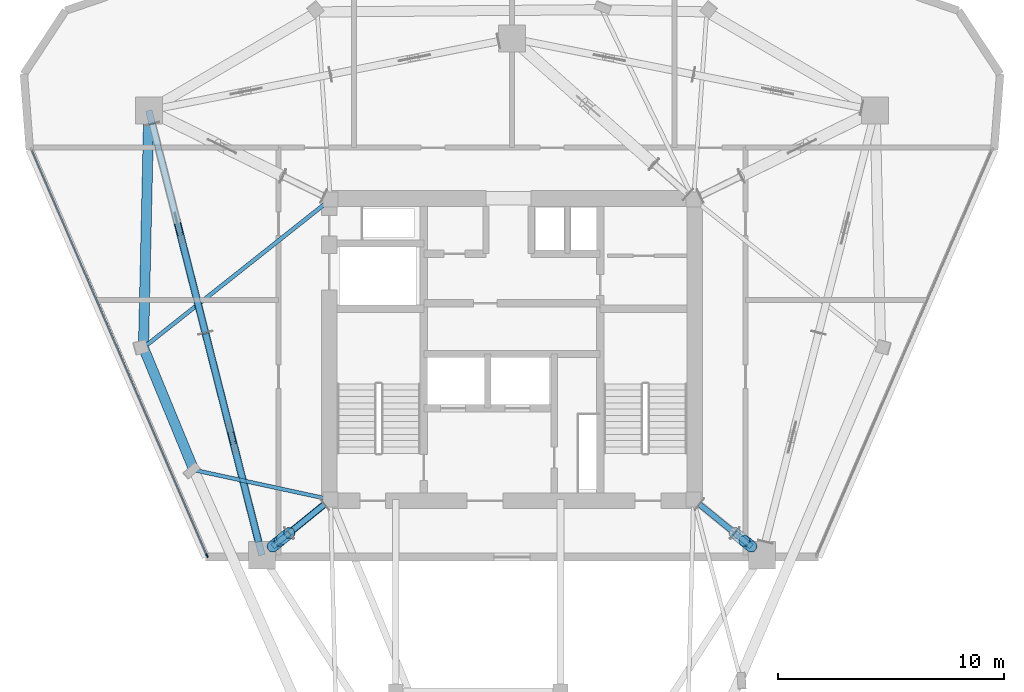
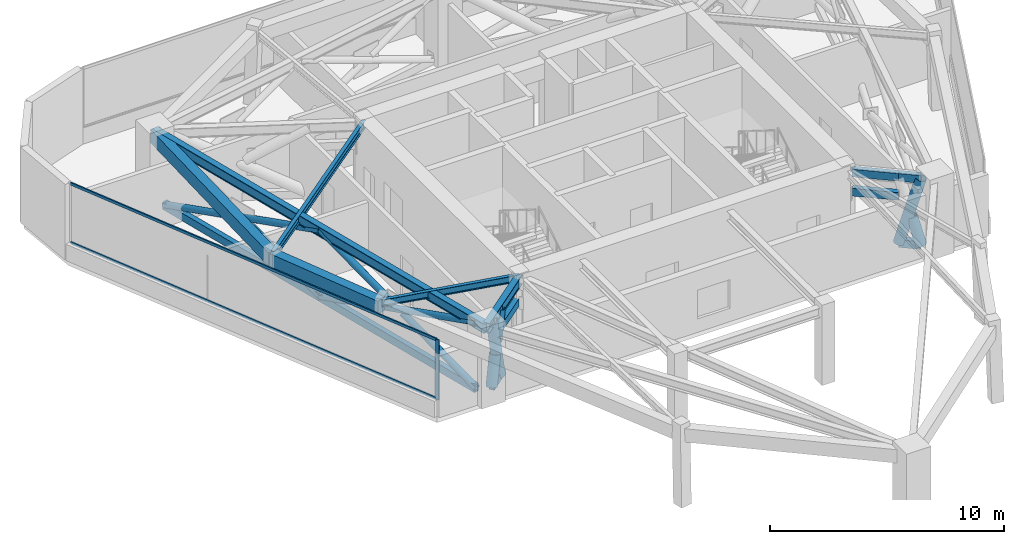
# One storey, part 2 of 9: 25 members, 6 beams, 1 element without a shape of its own.
"""IFC4 building model written with IfcOpenShell, lengths in metres."""

from ifc_helpers import new_model, si_unit, direction, frame, origin, origin_2d, place, context, subcontext, project, spatial, rectangle, hollow_rectangle, hollow_circle, i_section, extrude, material, layer, layer_set, material_profile, profile_set, type_object, element, aggregate, save


model = new_model("IFC4")

# Units and contexts
model_context = context("Model", 3, precision=1e-05, world=origin(), true_north=direction((0.0, 1.0)))
body_context = subcontext(model_context, "Body", "Model", "MODEL_VIEW")
ifc_project = project(units=[si_unit("LENGTHUNIT", "METRE"), si_unit("AREAUNIT", "SQUARE_METRE"), si_unit("VOLUMEUNIT", "CUBIC_METRE"), si_unit("PLANEANGLEUNIT", "RADIAN"), si_unit("MASSUNIT", "GRAM", prefix="KILO")], contexts=[model_context])

# Site, building, storey
site_placement = place(None, origin())
site = spatial("IfcSite", under=ifc_project, at=site_placement, CompositionType="ELEMENT")
building_placement = place(site_placement, origin())
building = spatial("IfcBuilding", under=site, at=building_placement, Name="Talyreon Biosciences Tower", CompositionType="ELEMENT")
storey_placement = place(building_placement, frame((0.0, 0.0, 279.60009765625)))
storey = spatial("IfcBuildingStorey", under=building, at=storey_placement, Name="L74", CompositionType="ELEMENT", Elevation=279.60009765625)

# Members
ifc_material_1 = material(Name="Steel SM355", Category="steel")
ifc_material_profile_1 = material_profile(ifc_material_1, hollow_rectangle(XDim=0.25, YDim=0.39990234375, WallThickness=0.01611328125, at=origin_2d()), Name="RHS 400x250x16")
ifc_profile_set_1 = profile_set([ifc_material_profile_1], Name="Steel SM355")
member_type_1 = type_object("IfcMemberType", Name="BeltChord_RHS400x250", PredefinedType="CHORD", material=ifc_profile_set_1)
for number, where, z_axis, x_axis, name in (
    (1, (74.309814453125, 61.138671875, 3.699951171875), (0.77578405512, -0.63099849431, 0.0), (0.63099849431, 0.77578405512, 0.0), "L74 Outrigger Core Top Tie 2"),
    (2, (74.309814453125, 61.138671875, 2.699951171875), (0.77578405512, -0.63099849431, 0.0), (0.63099849431, 0.77578405512, 0.0), "L74 Outrigger Core Plenum Tie 2"),
):
    element("IfcMember", number, at=place(storey_placement, frame(where, z_axis=z_axis, x_axis=x_axis)), inside=storey, type_object=member_type_1, Name=name, PredefinedType="CHORD", context=body_context, shape_type="SweptSolid", body=[
        extrude(hollow_rectangle(XDim=0.25, YDim=0.39990234375, WallThickness=0.01611328125, at=origin_2d()), origin(), (0.0, 0.0, 1.0), 2.01513671875),
    ])
for number, where, z_axis, x_axis, name in (
    (3, (75.873046875, 59.8671875, 0.239990234375), (0.77582422819, -0.630949100128, 0.0), (0.630949100128, 0.77582422819, 0.0), "L74 Truss Bottom Chord OUT-L74-R2"),
    (4, (75.873046875, 59.8671875, 3.699951171875), (0.77582422819, -0.630949100128, 0.0), (0.630949100128, 0.77582422819, 0.0), "L74 Truss Top Chord OUT-L74-R2"),
):
    element("IfcMember", number, at=place(storey_placement, frame(where, z_axis=z_axis, x_axis=x_axis)), inside=storey, type_object=member_type_1, Name=name, PredefinedType="CHORD", context=body_context, shape_type="SweptSolid", body=[
        extrude(hollow_rectangle(XDim=0.25, YDim=0.39990234375, WallThickness=0.01611328125, at=origin_2d()), origin(), (0.0, 0.0, 1.0), 0.953857421875),
    ])
for number, where, z_axis, x_axis, name in (
    (5, (57.690185546875, 61.138671875, 3.699951171875), (-0.77578405512, -0.63099849431, 0.0), (0.63099849431, -0.77578405512, 0.0), "L74 Outrigger Core Top Tie 6"),
    (6, (57.690185546875, 61.138671875, 2.699951171875), (-0.77578405512, -0.63099849431, 0.0), (0.63099849431, -0.77578405512, 0.0), "L74 Outrigger Core Plenum Tie 6"),
):
    element("IfcMember", number, at=place(storey_placement, frame(where, z_axis=z_axis, x_axis=x_axis)), inside=storey, type_object=member_type_1, Name=name, PredefinedType="CHORD", context=body_context, shape_type="SweptSolid", body=[
        extrude(hollow_rectangle(XDim=0.25, YDim=0.39990234375, WallThickness=0.01611328125, at=origin_2d()), origin(), (0.0, 0.0, 1.0), 2.01513671875),
    ])
for number, where, z_axis, x_axis, name in (
    (7, (56.126953125, 59.8671875, 0.239990234375), (-0.77582422819, -0.630949100128, 0.0), (0.630949100128, -0.77582422819, 0.0), "L74 Truss Bottom Chord OUT-L74-R6"),
    (8, (56.126953125, 59.8671875, 3.699951171875), (-0.77582422819, -0.630949100128, 0.0), (0.630949100128, -0.77582422819, 0.0), "L74 Truss Top Chord OUT-L74-R6"),
):
    element("IfcMember", number, at=place(storey_placement, frame(where, z_axis=z_axis, x_axis=x_axis)), inside=storey, type_object=member_type_1, Name=name, PredefinedType="CHORD", context=body_context, shape_type="SweptSolid", body=[
        extrude(hollow_rectangle(XDim=0.25, YDim=0.39990234375, WallThickness=0.01611328125, at=origin_2d()), origin(), (0.0, 0.0, 1.0), 0.953857421875),
    ])
for number, where, z_axis, x_axis, name in (
    (9, (50.048095703125, 78.007568359375, 0.239990234375), (0.246534116519, -0.969134113213, 0.0), (0.969134113213, 0.246534116519, 0.0), "L74 Truss Bottom Chord BELT-L74-B5S1"),
    (10, (50.048095703125, 78.007568359375, 3.699951171875), (0.246534116519, -0.969134113213, 0.0), (0.969134113213, 0.246534116519, 0.0), "L74 Truss Top Chord BELT-L74-B5S1"),
):
    element("IfcMember", number, at=place(storey_placement, frame(where, z_axis=z_axis, x_axis=x_axis)), inside=storey, type_object=member_type_1, Name=name, PredefinedType="CHORD", context=body_context, shape_type="SweptSolid", body=[
        extrude(hollow_rectangle(XDim=0.25, YDim=0.39990234375, WallThickness=0.01611328125, at=origin_2d()), origin(), (0.0, 0.0, 1.0), 9.563232421875),
    ])
for number, where, z_axis, x_axis, name in (
    (11, (52.40576171875, 68.739501953125, 0.239990234375), (0.246540216186, -0.969132561522, 0.0), (0.969132561522, 0.246540216186, 0.0), "L74 Truss Bottom Chord BELT-L74-B5S2"),
    (12, (52.40576171875, 68.739501953125, 3.699951171875), (0.246540216186, -0.969132561522, 0.0), (0.969132561522, 0.246540216186, 0.0), "L74 Truss Top Chord BELT-L74-B5S2"),
):
    element("IfcMember", number, at=place(storey_placement, frame(where, z_axis=z_axis, x_axis=x_axis)), inside=storey, type_object=member_type_1, Name=name, PredefinedType="CHORD", context=body_context, shape_type="SweptSolid", body=[
        extrude(hollow_rectangle(XDim=0.25, YDim=0.39990234375, WallThickness=0.01611328125, at=origin_2d()), origin(), (0.0, 0.0, 1.0), 9.56298828125),
    ])

# Curtain wall, members
ifc_material_2 = material(Name="Thermally broken aluminium and low-E glazing", Category="aluminium")
ifc_layer = layer(ifc_material_2, 0.175048828125)
ifc_layer_set = layer_set([ifc_layer], Name="Thermally broken aluminium and low-E glazing")
curtain_wall_type = type_object("IfcCurtainWallType", Name="CurtainWall_Zone5CompLab", PredefinedType="NOTDEFINED", material=ifc_layer_set)
curtain_wall_placement = place(storey_placement, origin())
curtain_wall = element("IfcCurtainWall", 13, at=curtain_wall_placement, inside=storey, type_object=curtain_wall_type, Name="L74 Unitised Curtain Wall FCW-L74-09", PredefinedType="NOTDEFINED")
ifc_material_3 = material(Name="Anodised thermally broken aluminium", Category="aluminium")
ifc_material_profile_2 = material_profile(ifc_material_3, rectangle(XDim=0.06494140625, YDim=0.179931640625, at=origin_2d()), Name="ALUM MULLION 65x180")
ifc_profile_set_2 = profile_set([ifc_material_profile_2], Name="Anodised thermally broken aluminium")
member_type_2 = type_object("IfcMemberType", Name="CWMullion_65x180", PredefinedType="MULLION", material=ifc_profile_set_2)
member_1_placement = place(storey_placement, frame((52.47802734375, 58.861572265625, 0.809814453125), z_axis=(0.0, 0.0, 1.0), x_axis=(-0.918021763475, -0.396530001116, 0.0)))
member_1 = element("IfcMember", 14, at=member_1_placement, type_object=member_type_2, Name="CW6 mullion 1", PredefinedType="MULLION", context=body_context, shape_type="SweptSolid", body=[
    extrude(rectangle(XDim=0.06494140625, YDim=0.179931640625, at=origin_2d()), origin(), (0.0, 0.0, 1.0), 3.14013671875),
])
ifc_material_profile_3 = material_profile(ifc_material_3, rectangle(XDim=0.06494140625, YDim=0.139892578125, at=origin_2d()), Name="ALUM TRANSOM 65x140")
ifc_profile_set_3 = profile_set([ifc_material_profile_3], Name="Anodised thermally broken aluminium")
member_type_3 = type_object("IfcMemberType", Name="CWTransom_65x140", PredefinedType="USERDEFINED", material=ifc_profile_set_3)
member_2_placement = place(storey_placement, frame((52.465087890625, 58.891357421875, 0.84228515625), z_axis=(-0.396531280855, 0.918021210705, 0.0), x_axis=(-0.918021210705, -0.396531280855, 0.0)))
member_2 = element("IfcMember", 15, at=member_2_placement, type_object=member_type_3, Name="CW6 transom 1.1", ObjectType="TRANSOM", PredefinedType="USERDEFINED", context=body_context, shape_type="SweptSolid", body=[
    extrude(rectangle(XDim=0.06494140625, YDim=0.139892578125, at=origin_2d()), origin(), (0.0, 0.0, 1.0), 19.53759765625),
])
member_3_placement = place(storey_placement, frame((52.465087890625, 58.891357421875, 3.91748046875), z_axis=(-0.396531280855, 0.918021210705, 0.0), x_axis=(-0.918021210705, -0.396531280855, 0.0)))
member_3 = element("IfcMember", 16, at=member_3_placement, type_object=member_type_3, Name="CW6 transom 1.2", ObjectType="TRANSOM", PredefinedType="USERDEFINED", context=body_context, shape_type="SweptSolid", body=[
    extrude(rectangle(XDim=0.06494140625, YDim=0.139892578125, at=origin_2d()), origin(), (0.0, 0.0, 1.0), 19.53759765625),
])
aggregate(curtain_wall, [member_1, member_2, member_3])

# Beams
ifc_material_4 = material(Name="Precast concrete C45/55", Category="concrete")
ifc_material_profile_4 = material_profile(ifc_material_4, rectangle(XDim=0.449951171875, YDim=0.699951171875, at=origin_2d()), Name="RCB 450x700")
ifc_profile_set_4 = profile_set([ifc_material_profile_4], Name="Precast concrete C45/55")
beam_type_1 = type_object("IfcBeamType", Name="ExpressedSpandrel_450x700", PredefinedType="SPANDREL", material=ifc_profile_set_4)
beam_1_placement = place(storey_placement, frame((49.897705078125, 78.5986328125, 3.599853515625), z_axis=(-0.022585368128, -0.99974491804, 0.0), x_axis=(0.99974491804, -0.022585368128, 0.0)))
element("IfcBeam", 17, at=beam_1_placement, inside=storey, type_object=beam_type_1, Name="L74 Expressed Horizontal Concrete Spandrel 09", PredefinedType="SPANDREL", context=body_context, shape_type="SweptSolid", body=[
    extrude(rectangle(XDim=0.449951171875, YDim=0.699951171875, at=origin_2d()), origin(), (0.0, 0.0, 1.0), 10.517822265625),
])
beam_2_placement = place(storey_placement, frame((49.66015625, 68.08349609375, 3.599853515625), z_axis=(0.380795869504, -0.924659129501, 0.0), x_axis=(0.924659129501, 0.380795869504, 0.0)))
element("IfcBeam", 18, at=beam_2_placement, inside=storey, type_object=beam_type_1, Name="L74 Expressed Horizontal Concrete Spandrel 10", PredefinedType="SPANDREL", context=body_context, shape_type="SweptSolid", body=[
    extrude(rectangle(XDim=0.449951171875, YDim=0.699951171875, at=origin_2d()), origin(), (0.0, 0.0, 1.0), 5.864501953125),
])

# Members
ifc_material_profile_5 = material_profile(ifc_material_1, hollow_circle(Radius=0.25390625, WallThickness=0.02001953125, at=origin_2d()), Name="CHS 508x20")
ifc_profile_set_5 = profile_set([ifc_material_profile_5], Name="Steel SM355")
member_type_4 = type_object("IfcMemberType", Name="OutriggerBrace_CHS508", PredefinedType="BRACE", material=ifc_profile_set_5)
member_4_placement = place(storey_placement, frame((75.873046875, 59.8671875, 0.239990234375), z_axis=(0.20618152172, -0.167679792491, 0.964039764373), x_axis=(0.630949100128, 0.77582422819, 0.0)))
element("IfcMember", 19, at=member_4_placement, inside=storey, type_object=member_type_4, Name="L74 Continuous Diagonal OUT-L74-R2A", PredefinedType="BRACE", context=body_context, shape_type="SweptSolid", body=[
    extrude(hollow_circle(Radius=0.25390625, WallThickness=0.02001953125, at=origin_2d()), origin(), (0.0, 0.0, 1.0), 3.589111328125),
])
member_5_placement = place(storey_placement, frame((76.613037109375, 59.265380859375, 0.239990234375), z_axis=(-0.206188859607, 0.167659432363, 0.964041736085), x_axis=(-0.630889468118, -0.775872720888, 0.0)))
element("IfcMember", 20, at=member_5_placement, inside=storey, type_object=member_type_4, Name="L74 Split Diagonal OUT-L74-R2B-Lower", PredefinedType="BRACE", context=body_context, shape_type="SweptSolid", body=[
    extrude(hollow_circle(Radius=0.25390625, WallThickness=0.02001953125, at=origin_2d()), origin(), (0.0, 0.0, 1.0), 1.514404296875),
])
member_6_placement = place(storey_placement, frame((56.126953125, 59.8671875, 0.239990234375), z_axis=(-0.20618152172, -0.167679792491, 0.964039764373), x_axis=(0.630949100128, -0.77582422819, 0.0)))
element("IfcMember", 21, at=member_6_placement, inside=storey, type_object=member_type_4, Name="L74 Continuous Diagonal OUT-L74-R6A", PredefinedType="BRACE", context=body_context, shape_type="SweptSolid", body=[
    extrude(hollow_circle(Radius=0.25390625, WallThickness=0.02001953125, at=origin_2d()), origin(), (0.0, 0.0, 1.0), 3.589111328125),
])
member_7_placement = place(storey_placement, frame((55.386962890625, 59.265380859375, 0.239990234375), z_axis=(0.206188859607, 0.167659432363, 0.964041736085), x_axis=(-0.630889468118, 0.775872720888, 0.0)))
element("IfcMember", 22, at=member_7_placement, inside=storey, type_object=member_type_4, Name="L74 Split Diagonal OUT-L74-R6B-Lower", PredefinedType="BRACE", context=body_context, shape_type="SweptSolid", body=[
    extrude(hollow_circle(Radius=0.25390625, WallThickness=0.02001953125, at=origin_2d()), origin(), (0.0, 0.0, 1.0), 1.514404296875),
])
member_8_placement = place(storey_placement, frame((55.814697265625, 59.613037109375, 2.23974609375), z_axis=(0.206151246897, 0.167790029727, 0.9640270584), x_axis=(-0.631254433436, 0.77557581207, 0.0)))
element("IfcMember", 23, at=member_8_placement, inside=storey, type_object=member_type_4, Name="L74 Split Diagonal OUT-L74-R6B-Upper", PredefinedType="BRACE", context=body_context, shape_type="SweptSolid", body=[
    extrude(hollow_circle(Radius=0.25390625, WallThickness=0.02001953125, at=origin_2d()), origin(), (0.0, 0.0, 1.0), 1.5146484375),
])
ifc_material_profile_6 = material_profile(ifc_material_1, hollow_circle(Radius=0.161865234375, WallThickness=0.012451171875, at=origin_2d()), Name="CHS 323.9x12.5")
ifc_profile_set_6 = profile_set([ifc_material_profile_6], Name="Steel SM355")
member_type_5 = type_object("IfcMemberType", Name="PortalBrace_CHS324", PredefinedType="BRACE", material=ifc_profile_set_6)
member_9_placement = place(storey_placement, frame((50.048095703125, 78.007568359375, 0.239990234375), z_axis=(0.231827725826, -0.911322784281, 0.34021564983), x_axis=(0.969134113213, 0.246534116519, 0.0)))
element("IfcMember", 24, at=member_9_placement, inside=storey, type_object=member_type_5, Name="L74 Continuous Diagonal BELT-L74-B5S1A", PredefinedType="BRACE", context=body_context, shape_type="SweptSolid", body=[
    extrude(hollow_circle(Radius=0.161865234375, WallThickness=0.012451171875, at=origin_2d()), origin(), (0.0, 0.0, 1.0), 10.169921875),
])
member_10_placement = place(storey_placement, frame((52.40576171875, 68.739501953125, 0.239990234375), z_axis=(-0.231847278182, 0.91133306629, 0.340174781379), x_axis=(-0.96912980982, -0.246551032683, 0.0)))
element("IfcMember", 25, at=member_10_placement, inside=storey, type_object=member_type_5, Name="L74 Split Diagonal BELT-L74-B5S1B-Lower", PredefinedType="BRACE", context=body_context, shape_type="SweptSolid", body=[
    extrude(hollow_circle(Radius=0.161865234375, WallThickness=0.012451171875, at=origin_2d()), origin(), (0.0, 0.0, 1.0), 4.804931640625),
])
member_11_placement = place(storey_placement, frame((52.40576171875, 68.739501953125, 0.239990234375), z_axis=(0.231832797709, -0.91131871532, 0.340223093004), x_axis=(0.969132561522, 0.246540216186, 0.0)))
element("IfcMember", 26, at=member_11_placement, inside=storey, type_object=member_type_5, Name="L74 Continuous Diagonal BELT-L74-B5S2A", PredefinedType="BRACE", context=body_context, shape_type="SweptSolid", body=[
    extrude(hollow_circle(Radius=0.161865234375, WallThickness=0.012451171875, at=origin_2d()), origin(), (0.0, 0.0, 1.0), 10.169677734375),
])
for number, where, z_axis, x_axis, name in (
    (27, (54.763427734375, 59.4716796875, 0.239990234375), (-0.231858014336, 0.911324454771, 0.340190533855), (-0.969126525057, -0.246563943899, 0.0), "L74 Split Diagonal BELT-L74-B5S2B-Lower"),
    (28, (53.519775390625, 64.36083984375, 2.065185546875), (-0.231854006249, 0.911308700872, 0.340235464792), (-0.969126525057, -0.246563943899, 0.0), "L74 Split Diagonal BELT-L74-B5S2B-Upper"),
):
    element("IfcMember", number, at=place(storey_placement, frame(where, z_axis=z_axis, x_axis=x_axis)), inside=storey, type_object=member_type_5, Name=name, PredefinedType="BRACE", context=body_context, shape_type="SweptSolid", body=[
        extrude(hollow_circle(Radius=0.161865234375, WallThickness=0.012451171875, at=origin_2d()), origin(), (0.0, 0.0, 1.0), 4.8046875),
    ])

# Beams
ifc_material_profile_7 = material_profile(ifc_material_1, i_section(OverallWidth=0.300048828125, OverallDepth=0.5, WebThickness=0.014404296875, FlangeThickness=0.028076171875, FilletRadius=0.027099609375, at=origin_2d()), Name="HE500B")
ifc_profile_set_7 = profile_set([ifc_material_profile_7], Name="Steel SM355")
beam_type_2 = type_object("IfcBeamType", Name="SteelBeam_HE500B", PredefinedType="BEAM", material=ifc_profile_set_7)
beam_3_placement = place(storey_placement, frame((49.897705078125, 78.5986328125, 3.699951171875), z_axis=(0.246537082299, -0.969133358755, 0.0), x_axis=(0.969133358755, 0.246537082299, 0.0)))
element("IfcBeam", 29, at=beam_3_placement, inside=storey, type_object=beam_type_2, Name="L74 Mega-Ring Girder 5", PredefinedType="BEAM", context=body_context, shape_type="SweptSolid", body=[
    extrude(i_section(OverallWidth=0.300048828125, OverallDepth=0.5, WebThickness=0.014404296875, FlangeThickness=0.028076171875, FilletRadius=0.027099609375, at=origin_2d()), origin(), (0.0, 0.0, 1.0), 20.34619140625),
])
beam_4_placement = place(storey_placement, frame((57.949951171875, 61.35009765625, 3.699951171875), z_axis=(-0.775755154013, -0.631034025249, 0.0), x_axis=(0.631034025249, -0.775755154013, 0.0)))
element("IfcBeam", 30, at=beam_4_placement, inside=storey, type_object=beam_type_2, Name="L74 Radial Primary Girder 6", PredefinedType="BEAM", context=body_context, shape_type="SweptSolid", body=[
    extrude(i_section(OverallWidth=0.300048828125, OverallDepth=0.5, WebThickness=0.014404296875, FlangeThickness=0.028076171875, FilletRadius=0.027099609375, at=origin_2d()), origin(), (0.0, 0.0, 1.0), 3.913818359375),
])
ifc_material_profile_8 = material_profile(ifc_material_1, i_section(OverallWidth=0.169921875, OverallDepth=0.360107421875, WebThickness=0.008056640625, FlangeThickness=0.0126953125, FilletRadius=0.01806640625, at=origin_2d()), Name="IPE360")
ifc_profile_set_8 = profile_set([ifc_material_profile_8], Name="Steel SM355")
beam_type_3 = type_object("IfcBeamType", Name="SteelJoist_IPE360", PredefinedType="JOIST", material=ifc_profile_set_8)
beam_5_placement = place(storey_placement, frame((57.949951171875, 61.35009765625, 3.77001953125), z_axis=(-0.977372577108, 0.211525047021, 0.0), x_axis=(-0.211525047021, -0.977372577108, 0.0)))
element("IfcBeam", 31, at=beam_5_placement, inside=storey, type_object=beam_type_3, Name="L74 Radial Composite Floor Joist PL-SW", PredefinedType="JOIST", context=body_context, shape_type="SweptSolid", body=[
    extrude(i_section(OverallWidth=0.169921875, OverallDepth=0.360107421875, WebThickness=0.008056640625, FlangeThickness=0.0126953125, FilletRadius=0.01806640625, at=origin_2d()), origin(), (0.0, 0.0, 1.0), 6.19677734375),
])
ifc_material_profile_9 = material_profile(ifc_material_1, i_section(OverallWidth=0.179931640625, OverallDepth=0.39990234375, WebThickness=0.008544921875, FlangeThickness=0.013427734375, FilletRadius=0.02099609375, at=origin_2d()), Name="IPE400")
ifc_profile_set_9 = profile_set([ifc_material_profile_9], Name="Steel SM355")
beam_type_4 = type_object("IfcBeamType", Name="SteelJoist_IPE400", PredefinedType="JOIST", material=ifc_profile_set_9)
beam_6_placement = place(storey_placement, frame((57.949951171875, 74.64990234375, 3.75), z_axis=(-0.783877740098, -0.620915202406, 0.0), x_axis=(0.620915202406, -0.783877740098, 0.0)))
element("IfcBeam", 32, at=beam_6_placement, inside=storey, type_object=beam_type_4, Name="L74 Radial Composite Floor Joist PC-SW1", PredefinedType="JOIST", context=body_context, shape_type="SweptSolid", body=[
    extrude(i_section(OverallWidth=0.179931640625, OverallDepth=0.39990234375, WebThickness=0.008544921875, FlangeThickness=0.013427734375, FilletRadius=0.02099609375, at=origin_2d()), origin(), (0.0, 0.0, 1.0), 10.575439453125),
])

save(model, "model.ifc")
